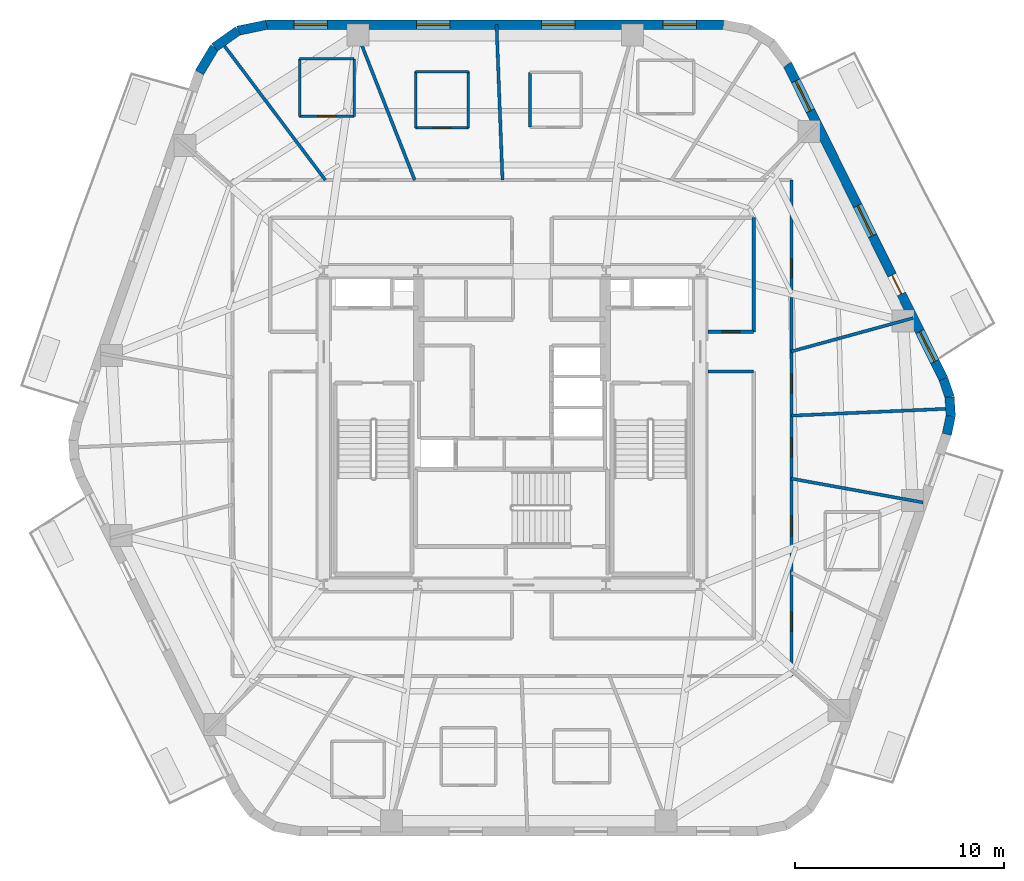
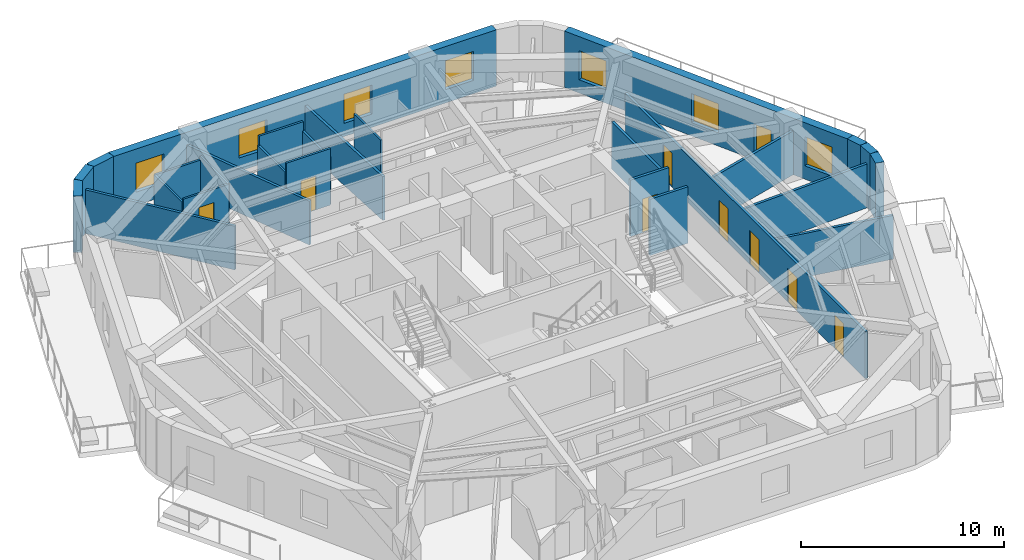
# One storey, part 6 of 10: 27 walls, 9 doors, 7 windows, 16 openings.
"""IFC4 building model written with IfcOpenShell, lengths in metres."""

from ifc_helpers import new_model, si_unit, direction, frame, frame_2d, origin, place, context, subcontext, project, spatial, rectangle, extrude, material, layer, layer_set, type_object, element, fill, save


model = new_model("IFC4")

# Units and contexts
model_context = context("Model", 3, precision=1e-05, world=origin(), true_north=direction((0.0, 1.0)))
body_context = subcontext(model_context, "Body", "Model", "MODEL_VIEW")
ifc_project = project(units=[si_unit("LENGTHUNIT", "METRE"), si_unit("AREAUNIT", "SQUARE_METRE"), si_unit("VOLUMEUNIT", "CUBIC_METRE"), si_unit("PLANEANGLEUNIT", "RADIAN"), si_unit("MASSUNIT", "GRAM", prefix="KILO")], contexts=[model_context])

# Site, building, storey
site_placement = place(None, origin())
site = spatial("IfcSite", under=ifc_project, at=site_placement, CompositionType="ELEMENT")
building_placement = place(site_placement, origin())
building = spatial("IfcBuilding", under=site, at=building_placement, Name="Kilnhurst Terrace Hotel", CompositionType="ELEMENT")
storey_placement = place(building_placement, frame((0.0, 0.0, 175.60009765625)))
storey = spatial("IfcBuildingStorey", under=building, at=storey_placement, Name="L43", CompositionType="ELEMENT", Elevation=175.60009765625)

# Walls
ifc_material_1 = material(Name="Precast concrete C40/50", Category="concrete")
ifc_layer_1 = layer(ifc_material_1, 0.449951171875, Name="Precast concrete C40/50")
ifc_layer_set_1 = layer_set([ifc_layer_1], Name="Precast concrete C40/50")
wall_type_1 = type_object("IfcWallType", Name="WL-BRK-450", PredefinedType="SOLIDWALL", material=ifc_layer_set_1)
wall_1_placement = place(storey_placement, frame((20.78173828125, -0.298095703125, 0.0), z_axis=(0.0, 0.0, 1.0), x_axis=(0.202570068411, 0.979267771033, 0.0)))
element("IfcWall", 1, at=wall_1_placement, inside=storey, type_object=wall_type_1, Name="L43 Rounded Corner Brick Wall C3.1", PredefinedType="SOLIDWALL", context=body_context, shape_type="SweptSolid", body=[
    extrude(rectangle(XDim=0.90869140625, YDim=0.449951171875, at=frame_2d((0.454345703125, 0.0))), origin(), (0.0, 0.0, 1.0), 3.39990234375),
])
wall_2_placement = place(storey_placement, frame((20.9658203125, 0.591796875, 0.0), z_axis=(0.0, 0.0, 1.0), x_axis=(-0.061748898935, 0.998091715966, 0.0)))
element("IfcWall", 2, at=wall_2_placement, inside=storey, type_object=wall_type_1, Name="L43 Rounded Corner Brick Wall C3.2", PredefinedType="SOLIDWALL", context=body_context, shape_type="SweptSolid", body=[
    extrude(rectangle(XDim=0.8935546875, YDim=0.449951171875, at=frame_2d((0.44677734375, 0.0))), origin(), (0.0, 0.0, 1.0), 3.39990234375),
])
wall_3_placement = place(storey_placement, frame((20.91064453125, 1.483642578125, 0.0), z_axis=(0.0, 0.0, 1.0), x_axis=(-0.321623334353, 0.946867694453, 0.0)))
element("IfcWall", 3, at=wall_3_placement, inside=storey, type_object=wall_type_1, Name="L43 Rounded Corner Brick Wall C3.3", PredefinedType="SOLIDWALL", context=body_context, shape_type="SweptSolid", body=[
    extrude(rectangle(XDim=0.90869140625, YDim=0.449951171875, at=frame_2d((0.454345703125, 0.0))), origin(), (0.0, 0.0, 1.0), 3.39990234375),
])
wall_4_placement = place(storey_placement, frame((-11.720458984375, 19.27490234375, 0.0), z_axis=(0.0, 0.0, 1.0), x_axis=(-0.97893106758, -0.204191001093, 0.0)))
element("IfcWall", 4, at=wall_4_placement, inside=storey, type_object=wall_type_1, Name="L43 Rounded Corner Brick Wall C5.1", PredefinedType="SOLIDWALL", context=body_context, shape_type="SweptSolid", body=[
    extrude(rectangle(XDim=1.400146484375, YDim=0.449951171875, at=frame_2d((0.7001953125, 0.0))), origin(), (0.0, 0.0, 1.0), 3.39990234375),
])
wall_5_placement = place(storey_placement, frame((-13.091064453125, 18.989013671875, 0.0), z_axis=(0.0, 0.0, 1.0), x_axis=(-0.815574637848, -0.578651890258, 0.0)))
element("IfcWall", 5, at=wall_5_placement, inside=storey, type_object=wall_type_1, Name="L43 Rounded Corner Brick Wall C5.2", PredefinedType="SOLIDWALL", context=body_context, shape_type="SweptSolid", body=[
    extrude(rectangle(XDim=1.376708984375, YDim=0.449951171875, at=frame_2d((0.6884765625, 0.0))), origin(), (0.0, 0.0, 1.0), 3.39990234375),
])
wall_6_placement = place(storey_placement, frame((-14.2138671875, 18.1923828125, 0.0), z_axis=(0.0, 0.0, 1.0), x_axis=(-0.516340945502, -0.856383108193, 0.0)))
element("IfcWall", 6, at=wall_6_placement, inside=storey, type_object=wall_type_1, Name="L43 Rounded Corner Brick Wall C5.3", PredefinedType="SOLIDWALL", context=body_context, shape_type="SweptSolid", body=[
    extrude(rectangle(XDim=1.400146484375, YDim=0.449951171875, at=frame_2d((0.7001953125, 0.0))), origin(), (0.0, 0.0, 1.0), 3.39990234375),
])

# Wall, openings, door, windows
wall_7_placement = place(storey_placement, frame((20.618408203125, 2.343994140625, 0.0), z_axis=(0.0, 0.0, 1.0), x_axis=(-0.444243691097, 0.895905990002, 0.0)))
wall_7 = element("IfcWall", 7, at=wall_7_placement, inside=storey, type_object=wall_type_1, Name="L43 Exterior Brick Facade Wall F3", PredefinedType="SOLIDWALL", context=body_context, shape_type="SweptSolid", body=[
    extrude(rectangle(XDim=16.78369140625, YDim=0.449951171875, at=frame_2d((8.391845703125, 0.0))), origin(), (0.0, 0.0, 1.0), 3.39990234375),
])
opening_1_placement = place(wall_7_placement, frame((4.534912109375, 0.0, 0.0)))
opening_1 = element("IfcOpeningElement", 8, at=opening_1_placement, cuts=wall_7, Name="Opening BD-1000", PredefinedType="OPENING", context=body_context, shape_type="SweptSolid", body=[
    extrude(rectangle(XDim=1.0, YDim=2.14990234375, at=frame_2d((0.5, 1.074951171875))), frame((0.0, 0.23486328125, 0.0), z_axis=(0.0, -1.0, 0.0), x_axis=(1.0, 0.0, 0.0)), (0.0, 0.0, 1.0), 0.469970703125),
])
opening_2_placement = place(wall_7_placement, frame((0.930908203125, 0.0, 0.800048828125)))
opening_2 = element("IfcOpeningElement", 9, at=opening_2_placement, cuts=wall_7, Name="Opening W-05", PredefinedType="OPENING", context=body_context, shape_type="SweptSolid", body=[
    extrude(rectangle(XDim=1.60009765625, YDim=1.75, at=frame_2d((0.800048828125, 0.875))), frame((0.0, 0.23486328125, 0.0), z_axis=(0.0, -1.0, 0.0), x_axis=(1.0, 0.0, 0.0)), (0.0, 0.0, 1.0), 0.469970703125),
])
opening_3_placement = place(wall_7_placement, frame((7.64208984375, 0.0, 0.800048828125)))
opening_3 = element("IfcOpeningElement", 10, at=opening_3_placement, cuts=wall_7, Name="Opening W-05", PredefinedType="OPENING", context=body_context, shape_type="SweptSolid", body=[
    extrude(rectangle(XDim=1.60009765625, YDim=1.75, at=frame_2d((0.800048828125, 0.875))), frame((0.0, 0.23486328125, 0.0), z_axis=(0.0, -1.0, 0.0), x_axis=(1.0, 0.0, 0.0)), (0.0, 0.0, 1.0), 0.469970703125),
])
opening_4_placement = place(wall_7_placement, frame((14.302978515625, 0.0, 0.800048828125)))
opening_4 = element("IfcOpeningElement", 11, at=opening_4_placement, cuts=wall_7, Name="Opening W-05", PredefinedType="OPENING", context=body_context, shape_type="SweptSolid", body=[
    extrude(rectangle(XDim=1.60009765625, YDim=1.75, at=frame_2d((0.800048828125, 0.875))), frame((0.0, 0.23486328125, 0.0), z_axis=(0.0, -1.0, 0.0), x_axis=(1.0, 0.0, 0.0)), (0.0, 0.0, 1.0), 0.469970703125),
])
ifc_material_2 = material(Name="Thermally Broken Bronze Aluminium Alloy 6063-T6 and Laminated Glass", Category="aluminium")
door_type_1 = type_object("IfcDoorType", Name="DR-EXT-BAL-1000", OperationType="NOTDEFINED", PredefinedType="DOOR", material=ifc_material_2)
door_1_placement = place(opening_1_placement, origin())
door_1 = element("IfcDoor", 12, at=door_1_placement, inside=storey, type_object=door_type_1, Name="L43 Planted Balcony Door BAL-L1B", OperationType="SINGLE_SWING_LEFT", OverallHeight=2.14990234375, OverallWidth=1.0, PredefinedType="DOOR", context=body_context, shape_type="SweptSolid", body=[
    extrude(rectangle(XDim=1.0, YDim=2.14990234375, at=frame_2d((0.5, 1.074951171875))), frame((0.0, 0.02490234375, 0.0), z_axis=(0.0, -1.0, 0.0), x_axis=(1.0, 0.0, 0.0)), (0.0, 0.0, 1.0), 0.050048828125),
])
fill(opening_1, door_1)
ifc_material_3 = material(Name="Thermally Broken Bronze Aluminium Alloy 6063-T6 and Low-E Glass", Category="aluminium")
window_type = type_object("IfcWindowType", Name="WIN-1600X1750", PartitioningType="SINGLE_PANEL", PredefinedType="WINDOW", material=ifc_material_3)
window_1_placement = place(opening_2_placement, origin())
window_1 = element("IfcWindow", 13, at=window_1_placement, inside=storey, type_object=window_type, Name="L43 Deep-Set Masonry Window F3.1", OverallHeight=1.75, OverallWidth=1.60009765625, PartitioningType="SINGLE_PANEL", PredefinedType="WINDOW", context=body_context, shape_type="SweptSolid", body=[
    extrude(rectangle(XDim=1.60009765625, YDim=1.75, at=frame_2d((0.800048828125, 0.875))), frame((0.0, 0.030029296875, 0.0), z_axis=(0.0, -1.0, 0.0), x_axis=(1.0, 0.0, 0.0)), (0.0, 0.0, 1.0), 0.06005859375),
])
fill(opening_2, window_1)
window_2_placement = place(opening_3_placement, origin())
window_2 = element("IfcWindow", 14, at=window_2_placement, inside=storey, type_object=window_type, Name="L43 Deep-Set Masonry Window F3.2", OverallHeight=1.75, OverallWidth=1.60009765625, PartitioningType="SINGLE_PANEL", PredefinedType="WINDOW", context=body_context, shape_type="SweptSolid", body=[
    extrude(rectangle(XDim=1.60009765625, YDim=1.75, at=frame_2d((0.800048828125, 0.875))), frame((0.0, 0.030029296875, 0.0), z_axis=(0.0, -1.0, 0.0), x_axis=(1.0, 0.0, 0.0)), (0.0, 0.0, 1.0), 0.06005859375),
])
fill(opening_3, window_2)
window_3_placement = place(opening_4_placement, origin())
window_3 = element("IfcWindow", 15, at=window_3_placement, inside=storey, type_object=window_type, Name="L43 Deep-Set Masonry Window F3.3", OverallHeight=1.75, OverallWidth=1.60009765625, PartitioningType="SINGLE_PANEL", PredefinedType="WINDOW", context=body_context, shape_type="SweptSolid", body=[
    extrude(rectangle(XDim=1.60009765625, YDim=1.75, at=frame_2d((0.800048828125, 0.875))), frame((0.0, 0.030029296875, 0.0), z_axis=(0.0, -1.0, 0.0), x_axis=(1.0, 0.0, 0.0)), (0.0, 0.0, 1.0), 0.06005859375),
])
fill(opening_4, window_3)

# Wall, openings, windows
wall_8_placement = place(storey_placement, frame((10.1083984375, 19.27490234375, 0.0), z_axis=(0.0, 0.0, 1.0), x_axis=(-1.0, 0.0, 0.0)))
wall_8 = element("IfcWall", 16, at=wall_8_placement, inside=storey, type_object=wall_type_1, Name="L43 Exterior Brick Facade Wall F4", PredefinedType="SOLIDWALL", context=body_context, shape_type="SweptSolid", body=[
    extrude(rectangle(XDim=21.828857421875, YDim=0.449951171875, at=frame_2d((10.91455078125, 0.0))), origin(), (0.0, 0.0, 1.0), 3.39990234375),
])
opening_5_placement = place(wall_8_placement, frame((1.297119140625, 0.0, 0.800048828125)))
opening_5 = element("IfcOpeningElement", 17, at=opening_5_placement, cuts=wall_8, Name="Opening W-05", PredefinedType="OPENING", context=body_context, shape_type="SweptSolid", body=[
    extrude(rectangle(XDim=1.60009765625, YDim=1.75, at=frame_2d((0.800048828125, 0.875))), frame((0.0, 0.23486328125, 0.0), z_axis=(0.0, -1.0, 0.0), x_axis=(1.0, 0.0, 0.0)), (0.0, 0.0, 1.0), 0.469970703125),
])
opening_6_placement = place(wall_8_placement, frame((7.090087890625, 0.0, 0.800048828125)))
opening_6 = element("IfcOpeningElement", 18, at=opening_6_placement, cuts=wall_8, Name="Opening W-05", PredefinedType="OPENING", context=body_context, shape_type="SweptSolid", body=[
    extrude(rectangle(XDim=1.60009765625, YDim=1.75, at=frame_2d((0.800048828125, 0.875))), frame((0.0, 0.23486328125, 0.0), z_axis=(0.0, -1.0, 0.0), x_axis=(1.0, 0.0, 0.0)), (0.0, 0.0, 1.0), 0.469970703125),
])
opening_7_placement = place(wall_8_placement, frame((13.072021484375, 0.0, 0.800048828125)))
opening_7 = element("IfcOpeningElement", 19, at=opening_7_placement, cuts=wall_8, Name="Opening W-05", PredefinedType="OPENING", context=body_context, shape_type="SweptSolid", body=[
    extrude(rectangle(XDim=1.60009765625, YDim=1.75, at=frame_2d((0.800048828125, 0.875))), frame((0.0, 0.23486328125, 0.0), z_axis=(0.0, -1.0, 0.0), x_axis=(1.0, 0.0, 0.0)), (0.0, 0.0, 1.0), 0.469970703125),
])
opening_8_placement = place(wall_8_placement, frame((18.93310546875, 0.0, 0.800048828125)))
opening_8 = element("IfcOpeningElement", 20, at=opening_8_placement, cuts=wall_8, Name="Opening W-05", PredefinedType="OPENING", context=body_context, shape_type="SweptSolid", body=[
    extrude(rectangle(XDim=1.60009765625, YDim=1.75, at=frame_2d((0.800048828125, 0.875))), frame((0.0, 0.23486328125, 0.0), z_axis=(0.0, -1.0, 0.0), x_axis=(1.0, 0.0, 0.0)), (0.0, 0.0, 1.0), 0.469970703125),
])
window_4_placement = place(opening_5_placement, origin())
window_4 = element("IfcWindow", 21, at=window_4_placement, inside=storey, type_object=window_type, Name="L43 Deep-Set Masonry Window F4.1", OverallHeight=1.75, OverallWidth=1.60009765625, PartitioningType="SINGLE_PANEL", PredefinedType="WINDOW", context=body_context, shape_type="SweptSolid", body=[
    extrude(rectangle(XDim=1.60009765625, YDim=1.75, at=frame_2d((0.800048828125, 0.875))), frame((0.0, 0.030029296875, 0.0), z_axis=(0.0, -1.0, 0.0), x_axis=(1.0, 0.0, 0.0)), (0.0, 0.0, 1.0), 0.06005859375),
])
fill(opening_5, window_4)
window_5_placement = place(opening_6_placement, origin())
window_5 = element("IfcWindow", 22, at=window_5_placement, inside=storey, type_object=window_type, Name="L43 Deep-Set Masonry Window F4.2", OverallHeight=1.75, OverallWidth=1.60009765625, PartitioningType="SINGLE_PANEL", PredefinedType="WINDOW", context=body_context, shape_type="SweptSolid", body=[
    extrude(rectangle(XDim=1.60009765625, YDim=1.75, at=frame_2d((0.800048828125, 0.875))), frame((0.0, 0.030029296875, 0.0), z_axis=(0.0, -1.0, 0.0), x_axis=(1.0, 0.0, 0.0)), (0.0, 0.0, 1.0), 0.06005859375),
])
fill(opening_6, window_5)
window_6_placement = place(opening_7_placement, origin())
window_6 = element("IfcWindow", 23, at=window_6_placement, inside=storey, type_object=window_type, Name="L43 Deep-Set Masonry Window F4.3", OverallHeight=1.75, OverallWidth=1.60009765625, PartitioningType="SINGLE_PANEL", PredefinedType="WINDOW", context=body_context, shape_type="SweptSolid", body=[
    extrude(rectangle(XDim=1.60009765625, YDim=1.75, at=frame_2d((0.800048828125, 0.875))), frame((0.0, 0.030029296875, 0.0), z_axis=(0.0, -1.0, 0.0), x_axis=(1.0, 0.0, 0.0)), (0.0, 0.0, 1.0), 0.06005859375),
])
fill(opening_7, window_6)
window_7_placement = place(opening_8_placement, origin())
window_7 = element("IfcWindow", 24, at=window_7_placement, inside=storey, type_object=window_type, Name="L43 Deep-Set Masonry Window F4.4", OverallHeight=1.75, OverallWidth=1.60009765625, PartitioningType="SINGLE_PANEL", PredefinedType="WINDOW", context=body_context, shape_type="SweptSolid", body=[
    extrude(rectangle(XDim=1.60009765625, YDim=1.75, at=frame_2d((0.800048828125, 0.875))), frame((0.0, 0.030029296875, 0.0), z_axis=(0.0, -1.0, 0.0), x_axis=(1.0, 0.0, 0.0)), (0.0, 0.0, 1.0), 0.06005859375),
])
fill(opening_8, window_7)

# Wall, openings, doors
ifc_material_4 = material(Name="Acoustic Double-Gypsum Corridor Partition Assembly")
ifc_layer_2 = layer(ifc_material_4, 0.14990234375, Name="Acoustic Double-Gypsum Corridor Partition Assembly")
ifc_layer_set_2 = layer_set([ifc_layer_2], Name="Acoustic Double-Gypsum Corridor Partition Assembly")
wall_type_2 = type_object("IfcWallType", Name="WL-COR-150", PredefinedType="PARTITIONING", material=ifc_layer_set_2)
wall_9_placement = place(storey_placement, frame((13.35009765625, 11.85009765625, 0.0), z_axis=(0.0, 0.0, 1.0), x_axis=(0.0, -1.0, 0.0)))
wall_9 = element("IfcWall", 25, at=wall_9_placement, inside=storey, type_object=wall_type_2, Name="L43 Interior Wall WL-L43-COR-04", PredefinedType="PARTITIONING", context=body_context, shape_type="SweptSolid", body=[
    extrude(rectangle(XDim=23.7001953125, YDim=0.14990234375, at=frame_2d((11.85009765625, 0.0))), origin(), (0.0, 0.0, 1.0), 2.83984375),
])
opening_9_placement = place(wall_9_placement, frame((9.27001953125, 0.0, 0.0)))
opening_9 = element("IfcOpeningElement", 26, at=opening_9_placement, cuts=wall_9, Name="Opening D-60C", PredefinedType="OPENING", context=body_context, shape_type="SweptSolid", body=[
    extrude(rectangle(XDim=0.89990234375, YDim=2.030029296875, at=frame_2d((0.449951171875, 1.01513671875))), frame((0.0, 0.0849609375, 0.0), z_axis=(0.0, -1.0, 0.0), x_axis=(1.0, 0.0, 0.0)), (0.0, 0.0, 1.0), 0.169921875),
])
opening_10_placement = place(wall_9_placement, frame((3.764892578125, 0.0, 0.0)))
opening_10 = element("IfcOpeningElement", 27, at=opening_10_placement, cuts=wall_9, Name="Opening D-60C", PredefinedType="OPENING", context=body_context, shape_type="SweptSolid", body=[
    extrude(rectangle(XDim=0.89990234375, YDim=2.030029296875, at=frame_2d((0.449951171875, 1.01513671875))), frame((0.0, 0.0849609375, 0.0), z_axis=(0.0, -1.0, 0.0), x_axis=(1.0, 0.0, 0.0)), (0.0, 0.0, 1.0), 0.169921875),
])
opening_11_placement = place(wall_9_placement, frame((20.662109375, 0.0, 0.0)))
opening_11 = element("IfcOpeningElement", 28, at=opening_11_placement, cuts=wall_9, Name="Opening D-60C", PredefinedType="OPENING", context=body_context, shape_type="SweptSolid", body=[
    extrude(rectangle(XDim=0.89990234375, YDim=2.030029296875, at=frame_2d((0.449951171875, 1.01513671875))), frame((0.0, 0.0849609375, 0.0), z_axis=(0.0, -1.0, 0.0), x_axis=(1.0, 0.0, 0.0)), (0.0, 0.0, 1.0), 0.169921875),
])
opening_12_placement = place(wall_9_placement, frame((16.054931640625, 0.0, 0.0)))
opening_12 = element("IfcOpeningElement", 29, at=opening_12_placement, cuts=wall_9, Name="Opening D-60B", PredefinedType="OPENING", context=body_context, shape_type="SweptSolid", body=[
    extrude(rectangle(XDim=0.949951171875, YDim=2.030029296875, at=frame_2d((0.47509765625, 1.01513671875))), frame((0.0, 0.0849609375, 0.0), z_axis=(0.0, -1.0, 0.0), x_axis=(1.0, 0.0, 0.0)), (0.0, 0.0, 1.0), 0.169921875),
])
opening_13_placement = place(wall_9_placement, frame((12.31494140625, 0.0, 0.0)))
opening_13 = element("IfcOpeningElement", 30, at=opening_13_placement, cuts=wall_9, Name="Opening D-60C", PredefinedType="OPENING", context=body_context, shape_type="SweptSolid", body=[
    extrude(rectangle(XDim=0.89990234375, YDim=2.030029296875, at=frame_2d((0.449951171875, 1.01513671875))), frame((0.0, 0.0849609375, 0.0), z_axis=(0.0, -1.0, 0.0), x_axis=(1.0, 0.0, 0.0)), (0.0, 0.0, 1.0), 0.169921875),
])
ifc_material_5 = material(Name="Painted Solid-Core Service Fire Door")
door_type_2 = type_object("IfcDoorType", Name="DR-FD60-900", OperationType="NOTDEFINED", PredefinedType="DOOR", material=ifc_material_5)
door_2_placement = place(opening_9_placement, origin())
door_2 = element("IfcDoor", 31, at=door_2_placement, inside=storey, type_object=door_type_2, Name="L43 Private Study Salon Door 1", OperationType="SINGLE_SWING_LEFT", OverallHeight=2.030029296875, OverallWidth=0.89990234375, PredefinedType="DOOR", context=body_context, shape_type="SweptSolid", body=[
    extrude(rectangle(XDim=0.89990234375, YDim=2.030029296875, at=frame_2d((0.449951171875, 1.01513671875))), frame((0.0, 0.02490234375, 0.0), z_axis=(0.0, -1.0, 0.0), x_axis=(1.0, 0.0, 0.0)), (0.0, 0.0, 1.0), 0.050048828125),
])
fill(opening_9, door_2)
door_3_placement = place(opening_10_placement, origin())
door_3 = element("IfcDoor", 32, at=door_3_placement, inside=storey, type_object=door_type_2, Name="L43 Executive Work Office Door 2", OperationType="SINGLE_SWING_RIGHT", OverallHeight=2.030029296875, OverallWidth=0.89990234375, PredefinedType="DOOR", context=body_context, shape_type="SweptSolid", body=[
    extrude(rectangle(XDim=0.89990234375, YDim=2.030029296875, at=frame_2d((0.449951171875, 1.01513671875))), frame((0.0, 0.02490234375, 0.0), z_axis=(0.0, -1.0, 0.0), x_axis=(1.0, 0.0, 0.0)), (0.0, 0.0, 1.0), 0.050048828125),
])
fill(opening_10, door_3)
door_4_placement = place(opening_11_placement, origin())
door_4 = element("IfcDoor", 33, at=door_4_placement, inside=storey, type_object=door_type_2, Name="L43 Botanical Reading Lounge Door 18", OperationType="SINGLE_SWING_RIGHT", OverallHeight=2.030029296875, OverallWidth=0.89990234375, PredefinedType="DOOR", context=body_context, shape_type="SweptSolid", body=[
    extrude(rectangle(XDim=0.89990234375, YDim=2.030029296875, at=frame_2d((0.449951171875, 1.01513671875))), frame((0.0, 0.02490234375, 0.0), z_axis=(0.0, -1.0, 0.0), x_axis=(1.0, 0.0, 0.0)), (0.0, 0.0, 1.0), 0.050048828125),
])
fill(opening_11, door_4)
door_5_placement = place(opening_13_placement, origin())
door_5 = element("IfcDoor", 34, at=door_5_placement, inside=storey, type_object=door_type_2, Name="L43 Private Meeting Salon Door 20", OperationType="SINGLE_SWING_RIGHT", OverallHeight=2.030029296875, OverallWidth=0.89990234375, PredefinedType="DOOR", context=body_context, shape_type="SweptSolid", body=[
    extrude(rectangle(XDim=0.89990234375, YDim=2.030029296875, at=frame_2d((0.449951171875, 1.01513671875))), frame((0.0, 0.02490234375, 0.0), z_axis=(0.0, -1.0, 0.0), x_axis=(1.0, 0.0, 0.0)), (0.0, 0.0, 1.0), 0.050048828125),
])
fill(opening_13, door_5)
ifc_material_6 = material(Name="Acoustic Walnut Veneer Solid-Core Fire Door")
door_type_3 = type_object("IfcDoorType", Name="DR-FD60-950", OperationType="NOTDEFINED", PredefinedType="DOOR", material=ifc_material_6)
door_6_placement = place(opening_12_placement, origin())
door_6 = element("IfcDoor", 35, at=door_6_placement, inside=storey, type_object=door_type_3, Name="L43 Guest Room Entry Door 19", OperationType="SINGLE_SWING_LEFT", OverallHeight=2.030029296875, OverallWidth=0.949951171875, PredefinedType="DOOR", context=body_context, shape_type="SweptSolid", body=[
    extrude(rectangle(XDim=0.949951171875, YDim=2.030029296875, at=frame_2d((0.47509765625, 1.01513671875))), frame((0.0, 0.02490234375, 0.0), z_axis=(0.0, -1.0, 0.0), x_axis=(1.0, 0.0, 0.0)), (0.0, 0.0, 1.0), 0.050048828125),
])
fill(opening_12, door_6)

# Wall
wall_10_placement = place(storey_placement, frame((11.550048828125, 2.699951171875, 0.0), z_axis=(0.0, 0.0, 1.0), x_axis=(-1.0, 0.0, 0.0)))
element("IfcWall", 36, at=wall_10_placement, inside=storey, type_object=wall_type_2, Name="L43 Interior Wall WL-L43-COR-06", PredefinedType="PARTITIONING", context=body_context, shape_type="SweptSolid", body=[
    extrude(rectangle(XDim=2.175048828125, YDim=0.14990234375, at=frame_2d((1.08740234375, 0.0))), origin(), (0.0, 0.0, 1.0), 3.39990234375),
])

# Wall, opening, door
wall_11_placement = place(storey_placement, frame((9.375, 4.60009765625, 0.0), z_axis=(0.0, 0.0, 1.0), x_axis=(1.0, 0.0, 0.0)))
wall_11 = element("IfcWall", 37, at=wall_11_placement, inside=storey, type_object=wall_type_2, Name="L43 Interior Wall WL-L43-COR-07", PredefinedType="PARTITIONING", context=body_context, shape_type="SweptSolid", body=[
    extrude(rectangle(XDim=2.175048828125, YDim=0.14990234375, at=frame_2d((1.08740234375, 0.0))), origin(), (0.0, 0.0, 1.0), 3.39990234375),
])
opening_14_placement = place(wall_11_placement, frame((0.6630859375, 0.0, 0.0)))
opening_14 = element("IfcOpeningElement", 38, at=opening_14_placement, cuts=wall_11, Name="Opening D-60D", PredefinedType="OPENING", context=body_context, shape_type="SweptSolid", body=[
    extrude(rectangle(XDim=0.85009765625, YDim=2.030029296875, at=frame_2d((0.425048828125, 1.01513671875))), frame((0.0, 0.0849609375, 0.0), z_axis=(0.0, -1.0, 0.0), x_axis=(1.0, 0.0, 0.0)), (0.0, 0.0, 1.0), 0.169921875),
])
ifc_material_7 = material(Name="Painted Hollow Metal Steel ASTM A36 Riser Door", Category="steel")
door_type_4 = type_object("IfcDoorType", Name="DR-FD60-850", OperationType="NOTDEFINED", PredefinedType="DOOR", material=ifc_material_7)
door_7_placement = place(opening_14_placement, origin())
door_7 = element("IfcDoor", 39, at=door_7_placement, inside=storey, type_object=door_type_4, Name="L43 Floor Beverage Service Room Door", OperationType="SINGLE_SWING_LEFT", OverallHeight=2.030029296875, OverallWidth=0.85009765625, PredefinedType="DOOR", context=body_context, shape_type="SweptSolid", body=[
    extrude(rectangle(XDim=0.85009765625, YDim=2.030029296875, at=frame_2d((0.425048828125, 1.01513671875))), frame((0.0, 0.02490234375, 0.0), z_axis=(0.0, -1.0, 0.0), x_axis=(1.0, 0.0, 0.0)), (0.0, 0.0, 1.0), 0.050048828125),
])
fill(opening_14, door_7)

# Walls
wall_12_placement = place(storey_placement, frame((11.550048828125, 4.60009765625, 0.0), z_axis=(0.0, 0.0, 1.0), x_axis=(0.0, 1.0, 0.0)))
element("IfcWall", 40, at=wall_12_placement, inside=storey, type_object=wall_type_2, Name="L43 Interior Wall WL-L43-COR-08", PredefinedType="PARTITIONING", context=body_context, shape_type="SweptSolid", body=[
    extrude(rectangle(XDim=5.449951171875, YDim=0.14990234375, at=frame_2d((2.72509765625, 0.0))), origin(), (0.0, 0.0, 1.0), 2.83984375),
])
ifc_material_8 = material(Name="STC-58 Acoustic Twin-Frame Guestroom Demising Partition")
ifc_layer_3 = layer(ifc_material_8, 0.14990234375, Name="STC-58 Acoustic Twin-Frame Guestroom Demising Partition")
ifc_layer_set_3 = layer_set([ifc_layer_3], Name="STC-58 Acoustic Twin-Frame Guestroom Demising Partition")
wall_type_3 = type_object("IfcWallType", Name="WL-DEM-150", PredefinedType="PARTITIONING", material=ifc_layer_set_3)
wall_13_placement = place(storey_placement, frame((13.35009765625, 0.591064453125, 0.0), z_axis=(0.0, 0.0, 1.0), x_axis=(0.999020359631, 0.044252921296, 0.0)))
element("IfcWall", 41, at=wall_13_placement, inside=storey, type_object=wall_type_3, Name="L43 Interior Wall WL-L43-DEM-MID12-01-1", PredefinedType="PARTITIONING", context=body_context, shape_type="SweptSolid", body=[
    extrude(rectangle(XDim=7.4423828125, YDim=0.14990234375, at=frame_2d((3.72119140625, 0.0))), origin(), (0.0, 0.0, 1.0), 2.639892578125),
])
wall_14_placement = place(storey_placement, frame((13.35009765625, 3.66064453125, 0.0), z_axis=(0.0, 0.0, 1.0), x_axis=(0.964397145454, 0.264458211898, 0.0)))
element("IfcWall", 42, at=wall_14_placement, inside=storey, type_object=wall_type_3, Name="L43 Interior Wall WL-L43-DEM-COL01-02-1", PredefinedType="PARTITIONING", context=body_context, shape_type="SweptSolid", body=[
    extrude(rectangle(XDim=6.03857421875, YDim=0.14990234375, at=frame_2d((3.019287109375, 0.0))), origin(), (0.0, 0.0, 1.0), 2.639892578125),
])
wall_15_placement = place(storey_placement, frame((-0.453857421875, 11.85009765625, 0.0), z_axis=(0.0, 0.0, 1.0), x_axis=(-0.038279171143, 0.999267083945, 0.0)))
element("IfcWall", 43, at=wall_15_placement, inside=storey, type_object=wall_type_3, Name="L43 Interior Wall WL-L43-DEM-MID03-06-1", PredefinedType="PARTITIONING", context=body_context, shape_type="SweptSolid", body=[
    extrude(rectangle(XDim=7.43017578125, YDim=0.14990234375, at=frame_2d((3.715087890625, 0.0))), origin(), (0.0, 0.0, 1.0), 2.639892578125),
])
wall_16_placement = place(storey_placement, frame((-4.64990234375, 11.85009765625, 0.0), z_axis=(0.0, 0.0, 1.0), x_axis=(-0.365265947993, 0.930903210456, 0.0)))
element("IfcWall", 44, at=wall_16_placement, inside=storey, type_object=wall_type_3, Name="L43 Interior Wall WL-L43-DEM-COL04-07-1", PredefinedType="PARTITIONING", context=body_context, shape_type="SweptSolid", body=[
    extrude(rectangle(XDim=7.975830078125, YDim=0.14990234375, at=frame_2d((3.98779296875, 0.0))), origin(), (0.0, 0.0, 1.0), 2.639892578125),
])
wall_17_placement = place(storey_placement, frame((-8.91845703125, 11.85009765625, 0.0), z_axis=(0.0, 0.0, 1.0), x_axis=(-0.601347965064, 0.798987249531, 0.0)))
element("IfcWall", 45, at=wall_17_placement, inside=storey, type_object=wall_type_3, Name="L43 Interior Wall WL-L43-DEM-MID04-08-1", PredefinedType="PARTITIONING", context=body_context, shape_type="SweptSolid", body=[
    extrude(rectangle(XDim=8.080078125, YDim=0.14990234375, at=frame_2d((4.0400390625, 0.0))), origin(), (0.0, 0.0, 1.0), 2.639892578125),
])
wall_18_placement = place(storey_placement, frame((13.35009765625, -2.417236328125, 0.0), z_axis=(0.0, 0.0, 1.0), x_axis=(0.98399796473, -0.178179699761, 0.0)))
element("IfcWall", 46, at=wall_18_placement, inside=storey, type_object=wall_type_3, Name="L43 Interior Wall WL-L43-DEM-COL12-20-1", PredefinedType="PARTITIONING", context=body_context, shape_type="SweptSolid", body=[
    extrude(rectangle(XDim=6.393310546875, YDim=0.14990234375, at=frame_2d((3.19677734375, 0.0))), origin(), (0.0, 0.0, 1.0), 2.639892578125),
])
ifc_material_9 = material(Name="120 mm Moisture-Resistant Tile-Backed Bathroom Partition")
ifc_layer_4 = layer(ifc_material_9, 0.1201171875, Name="120 mm Moisture-Resistant Tile-Backed Bathroom Partition")
ifc_layer_set_4 = layer_set([ifc_layer_4], Name="120 mm Moisture-Resistant Tile-Backed Bathroom Partition")
wall_type_4 = type_object("IfcWallType", Name="WL-PART-120", PredefinedType="PARTITIONING", material=ifc_layer_set_4)
wall_19_placement = place(storey_placement, frame((0.860107421875, 16.992919921875, 0.0), z_axis=(0.0, 0.0, 1.0), x_axis=(0.0, -1.0, 0.0)))
element("IfcWall", 47, at=wall_19_placement, inside=storey, type_object=wall_type_4, Name="L43 Interior Wall WL-L43-BTH-05-4", PredefinedType="PARTITIONING", context=body_context, shape_type="SweptSolid", body=[
    extrude(rectangle(XDim=2.60986328125, YDim=0.1201171875, at=frame_2d((1.304931640625, 0.0))), origin(), (0.0, 0.0, 1.0), 2.84033203125),
])

# Wall, opening, door
wall_20_placement = place(storey_placement, frame((-4.60009765625, 14.347900390625, 0.0), z_axis=(0.0, 0.0, 1.0), x_axis=(1.0, 0.0, 0.0)))
wall_20 = element("IfcWall", 48, at=wall_20_placement, inside=storey, type_object=wall_type_4, Name="L43 Interior Wall WL-L43-BTH-06-1", PredefinedType="PARTITIONING", context=body_context, shape_type="SweptSolid", body=[
    extrude(rectangle(XDim=2.52001953125, YDim=0.1201171875, at=frame_2d((1.260009765625, 0.0))), origin(), (0.0, 0.0, 1.0), 3.39990234375),
])
opening_15_placement = place(wall_20_placement, frame((0.8349609375, 0.0, 0.0)))
opening_15 = element("IfcOpeningElement", 49, at=opening_15_placement, cuts=wall_20, Name="Opening D-08A", PredefinedType="OPENING", context=body_context, shape_type="SweptSolid", body=[
    extrude(rectangle(XDim=0.85009765625, YDim=2.030029296875, at=frame_2d((0.425048828125, 1.01513671875))), frame((0.0, 0.070068359375, 0.0), z_axis=(0.0, -1.0, 0.0), x_axis=(1.0, 0.0, 0.0)), (0.0, 0.0, 1.0), 0.14013671875),
])
ifc_material_10 = material(Name="Moisture-Resistant Lacquered En-suite Bathroom Door")
door_type_5 = type_object("IfcDoorType", Name="DR-INT-850", OperationType="NOTDEFINED", PredefinedType="DOOR", material=ifc_material_10)
door_8_placement = place(opening_15_placement, origin())
door_8 = element("IfcDoor", 50, at=door_8_placement, inside=storey, type_object=door_type_5, Name="L43 En-suite Bathroom Door 6", OperationType="SINGLE_SWING_LEFT", OverallHeight=2.030029296875, OverallWidth=0.85009765625, PredefinedType="DOOR", context=body_context, shape_type="SweptSolid", body=[
    extrude(rectangle(XDim=0.85009765625, YDim=2.030029296875, at=frame_2d((0.425048828125, 1.01513671875))), frame((0.0, 0.02490234375, 0.0), z_axis=(0.0, -1.0, 0.0), x_axis=(1.0, 0.0, 0.0)), (0.0, 0.0, 1.0), 0.050048828125),
])
fill(opening_15, door_8)

# Walls
wall_21_placement = place(storey_placement, frame((-2.080078125, 14.347900390625, 0.0), z_axis=(0.0, 0.0, 1.0), x_axis=(0.0, 1.0, 0.0)))
element("IfcWall", 51, at=wall_21_placement, inside=storey, type_object=wall_type_4, Name="L43 Interior Wall WL-L43-BTH-06-2", PredefinedType="PARTITIONING", context=body_context, shape_type="SweptSolid", body=[
    extrude(rectangle(XDim=2.68017578125, YDim=0.1201171875, at=frame_2d((1.340087890625, 0.0))), origin(), (0.0, 0.0, 1.0), 2.84033203125),
])
wall_22_placement = place(storey_placement, frame((-2.080078125, 17.028076171875, 0.0), z_axis=(0.0, 0.0, 1.0), x_axis=(-1.0, 0.0, 0.0)))
element("IfcWall", 52, at=wall_22_placement, inside=storey, type_object=wall_type_4, Name="L43 Interior Wall WL-L43-BTH-06-3", PredefinedType="PARTITIONING", context=body_context, shape_type="SweptSolid", body=[
    extrude(rectangle(XDim=2.52001953125, YDim=0.1201171875, at=frame_2d((1.260009765625, 0.0))), origin(), (0.0, 0.0, 1.0), 3.39990234375),
])
wall_23_placement = place(storey_placement, frame((-4.60009765625, 17.028076171875, 0.0), z_axis=(0.0, 0.0, 1.0), x_axis=(0.0, -1.0, 0.0)))
element("IfcWall", 53, at=wall_23_placement, inside=storey, type_object=wall_type_4, Name="L43 Interior Wall WL-L43-BTH-06-4", PredefinedType="PARTITIONING", context=body_context, shape_type="SweptSolid", body=[
    extrude(rectangle(XDim=2.68017578125, YDim=0.1201171875, at=frame_2d((1.340087890625, 0.0))), origin(), (0.0, 0.0, 1.0), 2.84033203125),
])

# Wall, opening, door
wall_24_placement = place(storey_placement, frame((-10.14697265625, 14.89111328125, 0.0), z_axis=(0.0, 0.0, 1.0), x_axis=(1.0, 0.0, 0.0)))
wall_24 = element("IfcWall", 54, at=wall_24_placement, inside=storey, type_object=wall_type_4, Name="L43 Interior Wall WL-L43-BTH-07-1", PredefinedType="PARTITIONING", context=body_context, shape_type="SweptSolid", body=[
    extrude(rectangle(XDim=2.599853515625, YDim=0.1201171875, at=frame_2d((1.2998046875, 0.0))), origin(), (0.0, 0.0, 1.0), 2.83984375),
])
opening_16_placement = place(wall_24_placement, frame((0.875, 0.0, 0.0)))
opening_16 = element("IfcOpeningElement", 55, at=opening_16_placement, cuts=wall_24, Name="Opening D-08A", PredefinedType="OPENING", context=body_context, shape_type="SweptSolid", body=[
    extrude(rectangle(XDim=0.85009765625, YDim=2.030029296875, at=frame_2d((0.425048828125, 1.01513671875))), frame((0.0, 0.070068359375, 0.0), z_axis=(0.0, -1.0, 0.0), x_axis=(1.0, 0.0, 0.0)), (0.0, 0.0, 1.0), 0.14013671875),
])
door_9_placement = place(opening_16_placement, origin())
door_9 = element("IfcDoor", 56, at=door_9_placement, inside=storey, type_object=door_type_5, Name="L43 En-suite Bathroom Door 7", OperationType="SINGLE_SWING_RIGHT", OverallHeight=2.030029296875, OverallWidth=0.85009765625, PredefinedType="DOOR", context=body_context, shape_type="SweptSolid", body=[
    extrude(rectangle(XDim=0.85009765625, YDim=2.030029296875, at=frame_2d((0.425048828125, 1.01513671875))), frame((0.0, 0.02490234375, 0.0), z_axis=(0.0, -1.0, 0.0), x_axis=(1.0, 0.0, 0.0)), (0.0, 0.0, 1.0), 0.050048828125),
])
fill(opening_16, door_9)

# Walls
wall_25_placement = place(storey_placement, frame((-7.547119140625, 14.89111328125, 0.0), z_axis=(0.0, 0.0, 1.0), x_axis=(0.0, 1.0, 0.0)))
element("IfcWall", 57, at=wall_25_placement, inside=storey, type_object=wall_type_4, Name="L43 Interior Wall WL-L43-BTH-07-2", PredefinedType="PARTITIONING", context=body_context, shape_type="SweptSolid", body=[
    extrude(rectangle(XDim=2.75, YDim=0.1201171875, at=frame_2d((1.375, 0.0))), origin(), (0.0, 0.0, 1.0), 2.83984375),
])
wall_26_placement = place(storey_placement, frame((-7.547119140625, 17.64111328125, 0.0), z_axis=(0.0, 0.0, 1.0), x_axis=(-1.0, 0.0, 0.0)))
element("IfcWall", 58, at=wall_26_placement, inside=storey, type_object=wall_type_4, Name="L43 Interior Wall WL-L43-BTH-07-3", PredefinedType="PARTITIONING", context=body_context, shape_type="SweptSolid", body=[
    extrude(rectangle(XDim=2.599853515625, YDim=0.1201171875, at=frame_2d((1.2998046875, 0.0))), origin(), (0.0, 0.0, 1.0), 2.639892578125),
])
wall_27_placement = place(storey_placement, frame((-10.14697265625, 17.64111328125, 0.0), z_axis=(0.0, 0.0, 1.0), x_axis=(0.0, -1.0, 0.0)))
element("IfcWall", 59, at=wall_27_placement, inside=storey, type_object=wall_type_4, Name="L43 Interior Wall WL-L43-BTH-07-4", PredefinedType="PARTITIONING", context=body_context, shape_type="SweptSolid", body=[
    extrude(rectangle(XDim=2.75, YDim=0.1201171875, at=frame_2d((1.375, 0.0))), origin(), (0.0, 0.0, 1.0), 2.639892578125),
])

save(model, "model.ifc")
